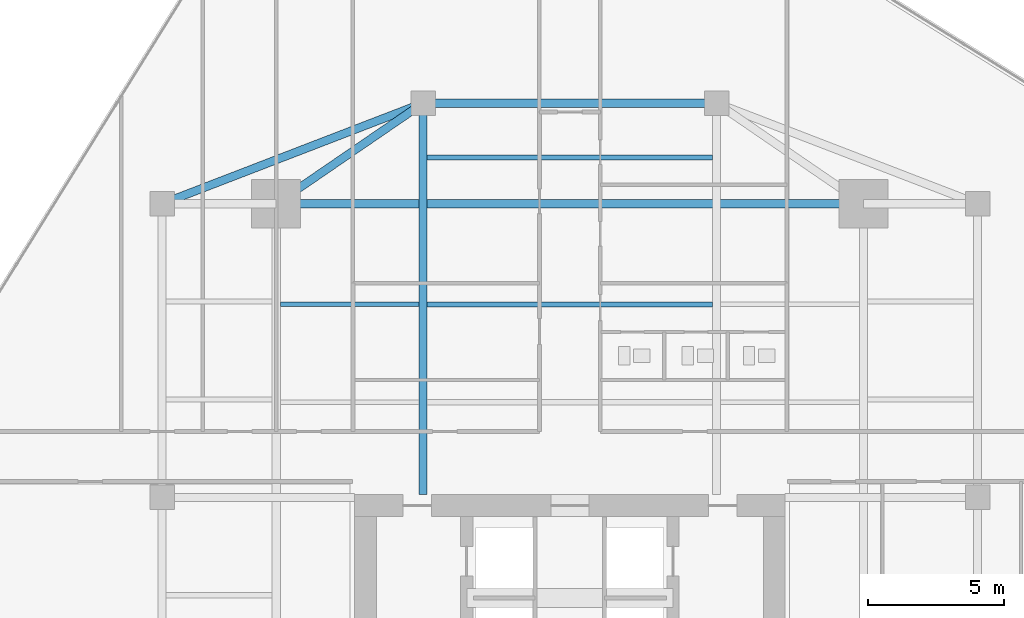
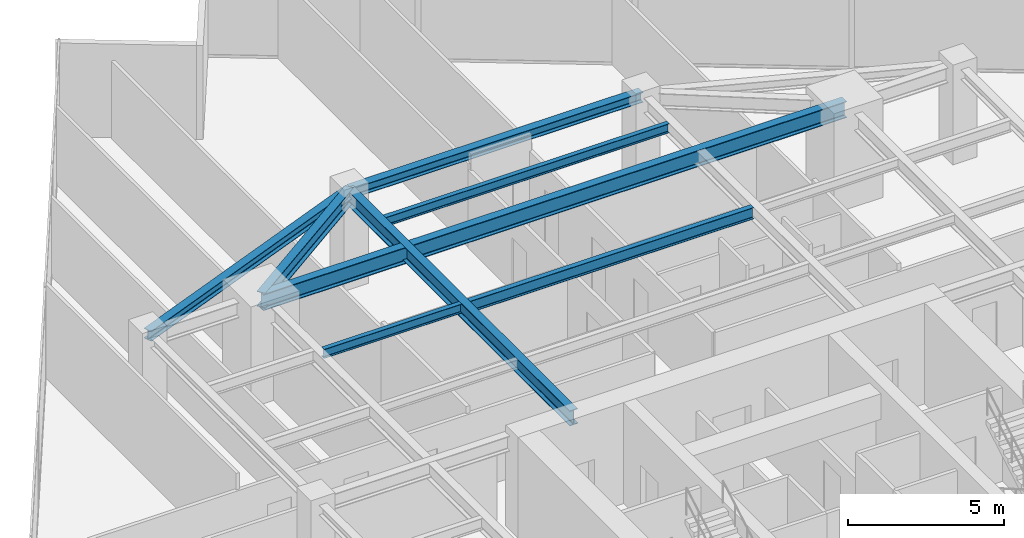
# One storey, part 14 of 26: 8 beams.
"""IFC4 building model written with IfcOpenShell, lengths in metres."""

import ifcopenshell
import ifcopenshell.guid

model = None  # the IFC model being written
_history = None  # IfcOwnerHistory: only IFC2X3 demands one
_inside = {}  # id of a spatial element -> (the spatial element, [elements in it])
_under = {}  # id of a project, library or spatial element -> (it, [spatial elements below it])
_declared = {}  # id of a project -> (the project, [libraries it declares])
_typed = {}  # id of a type object -> (the type object, [elements of that type])
_made_of = {}  # id of a material, layer set ... -> (it, [elements and type objects made of it])


def new_model(schema):
    """Start an empty IFC model of exactly this schema.

    Asked for "IFC4X3", IfcOpenShell would pick the latest addendum, in which some entities
    have other attributes; the version numbers below select the first issue.
    IFC2X3 requires an IfcOwnerHistory on every rooted entity: one is made here for all.
    """
    global model, _history
    if schema == "IFC4X3":
        model = ifcopenshell.file(schema_version=(4, 3, 0, 0))
    else:
        model = ifcopenshell.file(schema=schema)
    _inside.clear()
    _under.clear()
    _declared.clear()
    _typed.clear()
    _made_of.clear()
    _history = None
    if model.schema == "IFC2X3":
        org = make("IfcOrganization", Name="unknown")
        user = make(
            "IfcPersonAndOrganization",
            ThePerson=make("IfcPerson", FamilyName="unknown"),
            TheOrganization=org,
        )
        app = make(
            "IfcApplication",
            ApplicationDeveloper=org,
            Version="unknown",
            ApplicationFullName="unknown",
            ApplicationIdentifier="unknown",
        )
        _history = make(
            "IfcOwnerHistory",
            OwningUser=user,
            OwningApplication=app,
            ChangeAction="ADDED",
            CreationDate=0,
        )
    return model


def make(cls, **values):
    """One entity of the class cls with the attributes given. An attribute that is None is left unset."""
    return model.create_entity(
        cls, **{name: value for name, value in values.items() if value is not None}
    )


def rooted(cls, **values):
    """An entity with a GlobalId (a new one), such as an element, a storey or a relation."""
    return make(cls, GlobalId=ifcopenshell.guid.new(), OwnerHistory=_history, **values)


def si_unit(unit_type, name, prefix=None):
    """IfcSIUnit, for example si_unit("LENGTHUNIT", "METRE", prefix="MILLI")."""
    return make("IfcSIUnit", UnitType=unit_type, Prefix=prefix, Name=name)


def assignment(units):
    """IfcUnitAssignment: the units of a project."""
    return None if units is None else make("IfcUnitAssignment", Units=units)


def point(xyz):
    """IfcCartesianPoint."""
    return None if xyz is None else make("IfcCartesianPoint", Coordinates=xyz)


def direction(xyz):
    """IfcDirection."""
    return None if xyz is None else make("IfcDirection", DirectionRatios=xyz)


def frame(location, z_axis=None, x_axis=None):
    """IfcAxis2Placement3D, a coordinate frame: its origin and axes. An axis left out is left unset."""
    return make(
        "IfcAxis2Placement3D",
        Location=point(location),
        Axis=direction(z_axis),
        RefDirection=direction(x_axis),
    )


def frame_2d(location, x_axis=None):
    """IfcAxis2Placement2D, a coordinate frame in the plane: its origin and x axis."""
    return make(
        "IfcAxis2Placement2D", Location=point(location), RefDirection=direction(x_axis)
    )


def origin():
    """The frame at (0, 0, 0) with its axes left unset."""
    return frame((0.0, 0.0, 0.0))


def origin_2d():
    """The frame at (0, 0) in the plane with its x axis left unset."""
    return frame_2d((0.0, 0.0))


def place(relative_to, where):
    """IfcLocalPlacement: puts the frame where relative to a parent placement (None: the world)."""
    return make(
        "IfcLocalPlacement", PlacementRelTo=relative_to, RelativePlacement=where
    )


def context(
    kind, dimensions, precision=None, world=None, true_north=None, identifier=None
):
    """IfcGeometricRepresentationContext, for example the 3D "Model" context."""
    return make(
        "IfcGeometricRepresentationContext",
        ContextIdentifier=identifier,
        ContextType=kind,
        CoordinateSpaceDimension=dimensions,
        Precision=precision,
        WorldCoordinateSystem=world,
        TrueNorth=true_north,
    )


def subcontext(parent, identifier, kind, view, scale=None):
    """IfcGeometricRepresentationSubContext, for example "Body" below "Model"."""
    return make(
        "IfcGeometricRepresentationSubContext",
        ContextIdentifier=identifier,
        ContextType=kind,
        ParentContext=parent,
        TargetScale=scale,
        TargetView=view,
    )


def project(units=None, contexts=None):
    """IfcProject with its units and contexts."""
    return rooted(
        "IfcProject",
        Name="project",
        RepresentationContexts=contexts,
        UnitsInContext=assignment(units),
    )


def spatial(cls, under=None, at=None, **own):
    """A site, building, storey or space (cls), placed at a placement, below another one or the project."""
    s = rooted(cls, ObjectPlacement=at, **own)
    if under is not None:
        _under.setdefault(under.id(), (under, []))[1].append(s)
    return s


def profile(cls, at=None, kind="AREA", **sizes):
    """A parametric profile (cls). Its sizes go by their IFC names, for example OverallWidth=200.0."""
    return make(cls, ProfileType=kind, Position=at, **sizes)


def i_section(**sizes):
    """IfcIShapeProfileDef."""
    return profile("IfcIShapeProfileDef", **sizes)


def extrude(swept, where, along, depth):
    """IfcExtrudedAreaSolid: the profile swept, set in the frame where, extruded along a direction by depth."""
    return make(
        "IfcExtrudedAreaSolid",
        SweptArea=swept,
        Position=where,
        ExtrudedDirection=direction(along),
        Depth=depth,
    )


def shape(context_of_items, identifier, shape_type, items):
    """IfcShapeRepresentation: the items that make up one representation, for example the "Body"."""
    return make(
        "IfcShapeRepresentation",
        ContextOfItems=context_of_items,
        RepresentationIdentifier=identifier,
        RepresentationType=shape_type,
        Items=items,
    )


def source(mapping_origin, context_of_items, identifier, shape_type, items):
    """IfcRepresentationMap: a shape defined once, which mapped items show again and again."""
    return make(
        "IfcRepresentationMap",
        MappingOrigin=mapping_origin,
        MappedRepresentation=shape(context_of_items, identifier, shape_type, items),
    )


def transform(
    local_origin,
    x_axis=None,
    y_axis=None,
    z_axis=None,
    scale=None,
    scale2=None,
    scale3=None,
    uniform=True,
):
    """IfcCartesianTransformationOperator3D, or its non-uniform kind. x_axis, y_axis, z_axis: its Axis1, 2, 3."""
    if uniform:
        return make(
            "IfcCartesianTransformationOperator3D",
            Axis1=direction(x_axis),
            Axis2=direction(y_axis),
            LocalOrigin=point(local_origin),
            Scale=scale,
            Axis3=direction(z_axis),
        )
    return make(
        "IfcCartesianTransformationOperator3DnonUniform",
        Axis1=direction(x_axis),
        Axis2=direction(y_axis),
        LocalOrigin=point(local_origin),
        Scale=scale,
        Axis3=direction(z_axis),
        Scale2=scale2,
        Scale3=scale3,
    )


def mapped(mapping_source, mapping_target):
    """IfcMappedItem: shows the shape of a source again, moved by a transform."""
    return make(
        "IfcMappedItem", MappingSource=mapping_source, MappingTarget=mapping_target
    )


def material(Name=None, Category=None):
    """IfcMaterial."""
    return make("IfcMaterial", Name=Name, Category=Category)


def material_profile(
    of_material, cross_section, Name=None, Category=None, Priority=None
):
    """IfcMaterialProfile: a cross section and its material."""
    return make(
        "IfcMaterialProfile",
        Name=Name,
        Material=of_material,
        Profile=cross_section,
        Priority=Priority,
        Category=Category,
    )


def profile_set(profiles, Name=None, composite=None):
    """IfcMaterialProfileSet."""
    return make(
        "IfcMaterialProfileSet",
        Name=Name,
        MaterialProfiles=profiles,
        CompositeProfile=composite,
    )


def made_of(thing, what):
    """Note that an element or type object is made of a material, layer set ...; save() writes the relation."""
    if what is not None:
        _made_of.setdefault(what.id(), (what, []))[1].append(thing)
    return thing


def type_object(cls, material=None, **own):
    """A type object (cls), such as IfcWallType, which elements share."""
    return made_of(rooted(cls, **own), material)


def type_shapes(of_type, sources):
    """Give a type object the sources (RepresentationMaps) that its elements show as mapped items."""
    of_type.RepresentationMaps = sources


def element(
    cls,
    number,
    at=None,
    inside=None,
    cuts=None,
    type_object=None,
    material=None,
    context=None,
    identifier="Body",
    shape_type=None,
    held_by="IfcProductDefinitionShape",
    body=None,
    shapes=None,
    **own,
):
    """One element of the class cls, such as IfcWall. Its Tag is "e" and its number.

    at: its placement. inside: the storey or other place that contains it. cuts: it is an
    opening in that element (IfcRelVoidsElement). A single representation is given by context,
    identifier, shape_type and body (its items); several are given by shapes. held_by: the class
    of the entity that holds the representations. save() writes the other relations.
    """
    e = rooted(cls, Tag="e%d" % number, ObjectPlacement=at, **own)
    if body is not None:
        shapes = [shape(context, identifier, shape_type, body)]
    if shapes is not None:
        e.Representation = make(held_by, Representations=shapes)
    if inside is not None:
        _inside.setdefault(inside.id(), (inside, []))[1].append(e)
    if cuts is not None:
        rooted(
            "IfcRelVoidsElement", RelatingBuildingElement=cuts, RelatedOpeningElement=e
        )
    if type_object is not None:
        _typed.setdefault(type_object.id(), (type_object, []))[1].append(e)
    return made_of(e, material)


def aggregate(whole, parts):
    """IfcRelAggregates: a whole, such as a stair, and the parts it consists of."""
    return rooted("IfcRelAggregates", RelatingObject=whole, RelatedObjects=parts)


def save(model, path):
    """Write the relations noted so far, then the file.

    IfcRelAggregates (storeys below a building ...), IfcRelContainedInSpatialStructure (elements
    in a storey), IfcRelDefinesByType, IfcRelAssociatesMaterial and IfcRelDeclares: one each for
    every whole, place, type object, material and project.
    """
    for whole, parts in _under.values():
        aggregate(whole, parts)
    for where, things in _inside.values():
        rooted(
            "IfcRelContainedInSpatialStructure",
            RelatedElements=things,
            RelatingStructure=where,
        )
    for kind, things in _typed.values():
        rooted("IfcRelDefinesByType", RelatedObjects=things, RelatingType=kind)
    for what, things in _made_of.values():
        rooted("IfcRelAssociatesMaterial", RelatedObjects=things, RelatingMaterial=what)
    for by, libraries in _declared.values():
        rooted("IfcRelDeclares", RelatingContext=by, RelatedDefinitions=libraries)
    model.write(path)


model = new_model("IFC4")

# Units and contexts
model_context = context("Model", 3, precision=1e-05, world=origin(), true_north=direction((0.0, 1.0)))
body_context = subcontext(model_context, "Body", "Model", "MODEL_VIEW")
ifc_project = project(units=[si_unit("LENGTHUNIT", "METRE"), si_unit("AREAUNIT", "SQUARE_METRE"), si_unit("VOLUMEUNIT", "CUBIC_METRE"), si_unit("PLANEANGLEUNIT", "RADIAN"), si_unit("MASSUNIT", "GRAM", prefix="KILO")], contexts=[model_context])

# Site, building, storey
site_placement = place(None, origin())
site = spatial("IfcSite", under=ifc_project, at=site_placement, CompositionType="ELEMENT")
building_placement = place(site_placement, origin())
building = spatial("IfcBuilding", under=site, at=building_placement, Name="Krantzveldt Concourse Tower", CompositionType="ELEMENT")
storey_placement = place(building_placement, frame((0.0, 0.0, 173.85009765625)))
storey = spatial("IfcBuildingStorey", under=building, at=storey_placement, Name="L42", CompositionType="ELEMENT", Elevation=173.85009765625)

# Beams
ifc_material = material(Name="Steel S355JR", Category="steel")
ifc_material_profile_1 = material_profile(ifc_material, i_section(OverallWidth=0.300048828125, OverallDepth=0.639892578125, WebThickness=0.013427734375, FlangeThickness=0.02587890625, FilletRadius=0.027099609375, at=origin_2d()), Name="Steel S355JR", Category="steel")
ifc_profile_set_1 = profile_set([ifc_material_profile_1], Name="Steel S355JR - HEA 650")
beam_type_1 = type_object("IfcBeamType", Name="BM-B-HEA650", PredefinedType="BEAM", material=ifc_profile_set_1)
shared_shape_1 = source(origin(), body_context, "Body", "SweptSolid", [
    extrude(i_section(OverallWidth=0.300048828125, OverallDepth=0.639892578125, WebThickness=0.013427734375, FlangeThickness=0.02587890625, FilletRadius=0.027099609375, at=origin_2d()), origin(), (0.0, 0.0, 1.0), 21.60009765625),
])
type_shapes(beam_type_1, [shared_shape_1])
beam_1_placement = place(storey_placement, frame((25.199951171875, 37.5, 3.349853515625), z_axis=(1.0, 0.0, 0.0), x_axis=(0.0, 1.0, 0.0)))
element("IfcBeam", 1, at=beam_1_placement, inside=storey, type_object=beam_type_1, Name="L42 Tower Girder BG-MN", PredefinedType="BEAM", context=body_context, shape_type="MappedRepresentation", body=[
    mapped(shared_shape_1, transform((0.0, 0.0, 0.0), x_axis=(1.0, 0.0, 0.0), y_axis=(0.0, 1.0, 0.0), z_axis=(0.0, 0.0, 1.0), scale=1.0)),
])
ifc_material_profile_2 = material_profile(ifc_material, i_section(OverallWidth=0.300048828125, OverallDepth=0.590087890625, WebThickness=0.012939453125, FlangeThickness=0.02490234375, FilletRadius=0.027099609375, at=origin_2d()), Name="Steel S355JR", Category="steel")
ifc_profile_set_2 = profile_set([ifc_material_profile_2], Name="Steel S355JR - HEA 600")
beam_type_2 = type_object("IfcBeamType", Name="BM-B-HEA600", PredefinedType="BEAM", material=ifc_profile_set_2)
shared_shape_2 = source(origin(), body_context, "Body", "SweptSolid", [
    extrude(i_section(OverallWidth=0.300048828125, OverallDepth=0.590087890625, WebThickness=0.012939453125, FlangeThickness=0.02490234375, FilletRadius=0.027099609375, at=origin_2d()), origin(), (0.0, 0.0, 1.0), 14.39990234375),
])
beam_2_placement = place(storey_placement, frame((30.60009765625, 26.800048828125, 3.375), z_axis=(0.0, 1.0, 0.0), x_axis=(-1.0, 0.0, 0.0)))
element("IfcBeam", 2, at=beam_2_placement, inside=storey, type_object=beam_type_2, Name="L42 Tower Girder BG-CNW", PredefinedType="BEAM", context=body_context, shape_type="MappedRepresentation", body=[
    mapped(shared_shape_2, transform((0.0, 0.0, 0.0), x_axis=(1.0, 0.0, 0.0), y_axis=(0.0, 1.0, 0.0), z_axis=(0.0, 0.0, 1.0), scale=1.0)),
])
shared_shape_3 = source(origin(), body_context, "Body", "SweptSolid", [
    extrude(i_section(OverallWidth=0.300048828125, OverallDepth=0.590087890625, WebThickness=0.012939453125, FlangeThickness=0.02490234375, FilletRadius=0.027099609375, at=origin_2d()), origin(), (0.0, 0.0, 1.0), 6.546142578125),
])
type_shapes(beam_type_2, [shared_shape_2, shared_shape_3])
beam_3_placement = place(storey_placement, frame((25.199951171875, 37.5, 3.375), z_axis=(0.824942999484, 0.565215930068, 0.0), x_axis=(-0.565215930068, 0.824942999484, 0.0)))
element("IfcBeam", 3, at=beam_3_placement, inside=storey, type_object=beam_type_2, Name="L42 Tower Girder BR-RL4", PredefinedType="BEAM", context=body_context, shape_type="MappedRepresentation", body=[
    mapped(shared_shape_3, transform((0.0, 0.0, 0.0), x_axis=(1.0, 0.0, 0.0), y_axis=(0.0, 1.0, 0.0), z_axis=(0.0, 0.0, 1.0), scale=1.0)),
])
ifc_material_profile_3 = material_profile(ifc_material, i_section(OverallWidth=0.18994140625, OverallDepth=0.449951171875, WebThickness=0.009521484375, FlangeThickness=0.0146484375, FilletRadius=0.02099609375, at=origin_2d()), Name="Steel S355JR", Category="steel")
ifc_profile_set_3 = profile_set([ifc_material_profile_3], Name="Steel S355JR - IPE 450")
beam_type_3 = type_object("IfcBeamType", Name="BM-J-IPE450", PredefinedType="JOIST", material=ifc_profile_set_3)
shared_shape_4 = source(origin(), body_context, "Body", "SweptSolid", [
    extrude(i_section(OverallWidth=0.18994140625, OverallDepth=0.449951171875, WebThickness=0.009521484375, FlangeThickness=0.0146484375, FilletRadius=0.02099609375, at=origin_2d()), origin(), (0.0, 0.0, 1.0), 10.5),
])
type_shapes(beam_type_3, [shared_shape_4])
beam_4_placement = place(storey_placement, frame((30.75, 33.800048828125, 3.44482421875), z_axis=(1.0, 0.0, 0.0), x_axis=(0.0, 1.0, 0.0)))
element("IfcBeam", 4, at=beam_4_placement, inside=storey, type_object=beam_type_3, Name="L42 Secondary Floor Joist JN-C2", PredefinedType="JOIST", context=body_context, shape_type="MappedRepresentation", body=[
    mapped(shared_shape_4, transform((0.0, 0.0, 0.0), x_axis=(1.0, 0.0, 0.0), y_axis=(0.0, 1.0, 0.0), z_axis=(0.0, 0.0, 1.0), scale=1.0)),
])
ifc_material_profile_4 = material_profile(ifc_material, i_section(OverallWidth=0.300048828125, OverallDepth=0.389892578125, WebThickness=0.010986328125, FlangeThickness=0.01904296875, FilletRadius=0.027099609375, at=origin_2d()), Name="Steel S355JR", Category="steel")
ifc_profile_set_4 = profile_set([ifc_material_profile_4], Name="Steel S355JR - HEA 400")
beam_type_4 = type_object("IfcBeamType", Name="BM-SP-HEA400", PredefinedType="SPANDREL", material=ifc_profile_set_4)
shared_shape_5 = source(origin(), body_context, "Body", "SweptSolid", [
    extrude(i_section(OverallWidth=0.300048828125, OverallDepth=0.389892578125, WebThickness=0.010986328125, FlangeThickness=0.01904296875, FilletRadius=0.027099609375, at=origin_2d()), origin(), (0.0, 0.0, 1.0), 10.288330078125),
])
beam_5_placement = place(storey_placement, frame((21.0, 37.5, 3.474853515625), z_axis=(0.933097690408, 0.359622997257, 0.0), x_axis=(-0.359622997257, 0.933097690408, 0.0)))
element("IfcBeam", 5, at=beam_5_placement, inside=storey, type_object=beam_type_4, Name="L42 Tower Girder SP-R03", PredefinedType="SPANDREL", context=body_context, shape_type="MappedRepresentation", body=[
    mapped(shared_shape_5, transform((0.0, 0.0, 0.0), x_axis=(1.0, 0.0, 0.0), y_axis=(0.0, 1.0, 0.0), z_axis=(0.0, 0.0, 1.0), scale=1.0)),
])
shared_shape_6 = source(origin(), body_context, "Body", "SweptSolid", [
    extrude(i_section(OverallWidth=0.300048828125, OverallDepth=0.389892578125, WebThickness=0.010986328125, FlangeThickness=0.01904296875, FilletRadius=0.027099609375, at=origin_2d()), origin(), (0.0, 0.0, 1.0), 10.7998046875),
])
type_shapes(beam_type_4, [shared_shape_5, shared_shape_6])
beam_6_placement = place(storey_placement, frame((30.60009765625, 41.199951171875, 3.474853515625), z_axis=(1.0, 0.0, 0.0), x_axis=(0.0, 1.0, 0.0)))
element("IfcBeam", 6, at=beam_6_placement, inside=storey, type_object=beam_type_4, Name="L42 Tower Girder SP-R04", PredefinedType="SPANDREL", context=body_context, shape_type="MappedRepresentation", body=[
    mapped(shared_shape_6, transform((0.0, 0.0, 0.0), x_axis=(1.0, 0.0, 0.0), y_axis=(0.0, 1.0, 0.0), z_axis=(0.0, 0.0, 1.0), scale=1.0)),
])
ifc_material_profile_5 = material_profile(ifc_material, i_section(OverallWidth=0.169921875, OverallDepth=0.360107421875, WebThickness=0.008056640625, FlangeThickness=0.0126953125, FilletRadius=0.01806640625, at=origin_2d()), Name="Steel S355JR", Category="steel")
ifc_profile_set_5 = profile_set([ifc_material_profile_5], Name="Steel S355JR - IPE 360")
beam_type_5 = type_object("IfcBeamType", Name="BM-J-IPE360", PredefinedType="JOIST", material=ifc_profile_set_5)
shared_shape_7 = source(origin(), body_context, "Body", "SweptSolid", [
    extrude(i_section(OverallWidth=0.169921875, OverallDepth=0.360107421875, WebThickness=0.008056640625, FlangeThickness=0.0126953125, FilletRadius=0.01806640625, at=origin_2d()), origin(), (0.0, 0.0, 1.0), 10.5),
])
beam_7_placement = place(storey_placement, frame((30.75, 39.199951171875, 3.489990234375), z_axis=(1.0, 0.0, 0.0), x_axis=(0.0, 1.0, 0.0)))
element("IfcBeam", 7, at=beam_7_placement, inside=storey, type_object=beam_type_5, Name="L42 Secondary Floor Joist JN-C3", PredefinedType="JOIST", context=body_context, shape_type="MappedRepresentation", body=[
    mapped(shared_shape_7, transform((0.0, 0.0, 0.0), x_axis=(1.0, 0.0, 0.0), y_axis=(0.0, 1.0, 0.0), z_axis=(0.0, 0.0, 1.0), scale=1.0)),
])
shared_shape_8 = source(origin(), body_context, "Body", "SweptSolid", [
    extrude(i_section(OverallWidth=0.169921875, OverallDepth=0.360107421875, WebThickness=0.008056640625, FlangeThickness=0.0126953125, FilletRadius=0.01806640625, at=origin_2d()), origin(), (0.0, 0.0, 1.0), 5.099853515625),
])
type_shapes(beam_type_5, [shared_shape_7, shared_shape_8])
beam_8_placement = place(storey_placement, frame((25.35009765625, 33.800048828125, 3.489990234375), z_axis=(1.0, 0.0, 0.0), x_axis=(0.0, 1.0, 0.0)))
element("IfcBeam", 8, at=beam_8_placement, inside=storey, type_object=beam_type_5, Name="L42 Secondary Floor Joist JN-W2", PredefinedType="JOIST", context=body_context, shape_type="MappedRepresentation", body=[
    mapped(shared_shape_8, transform((0.0, 0.0, 0.0), x_axis=(1.0, 0.0, 0.0), y_axis=(0.0, 1.0, 0.0), z_axis=(0.0, 0.0, 1.0), scale=1.0)),
])

save(model, "model.ifc")
